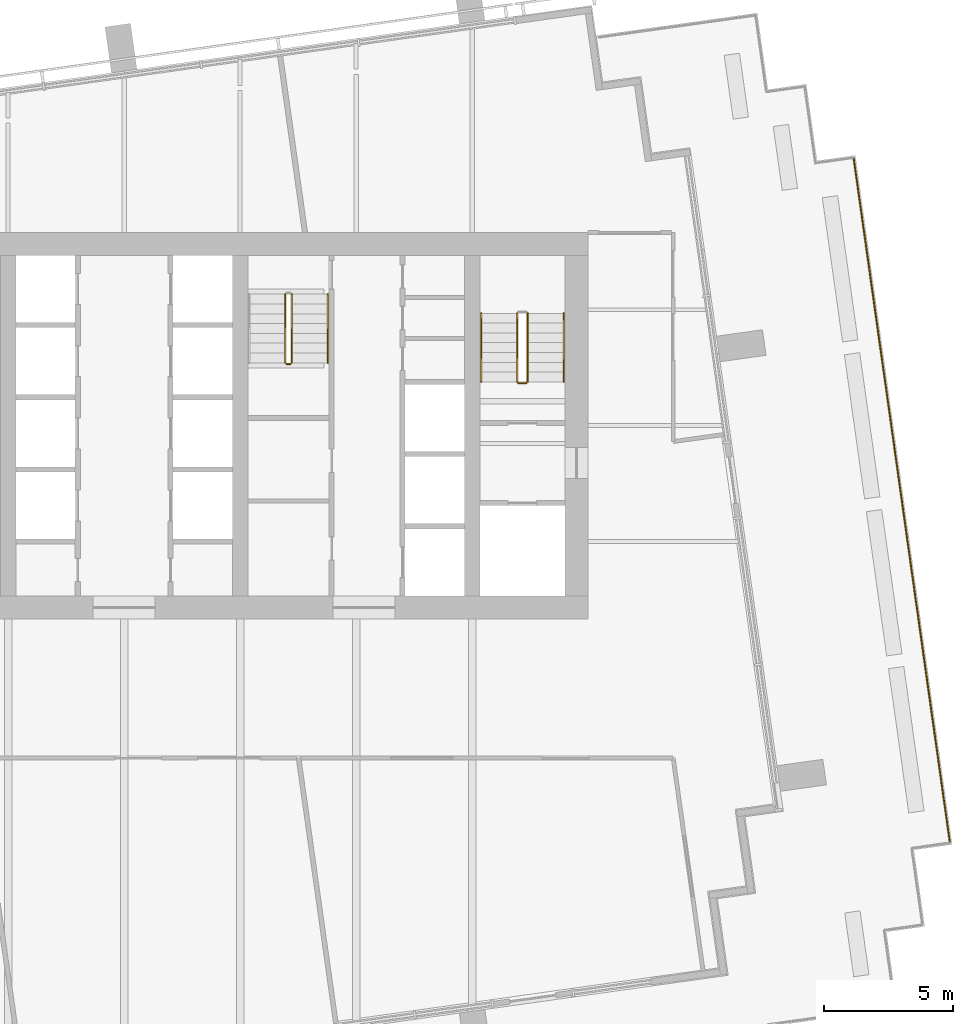
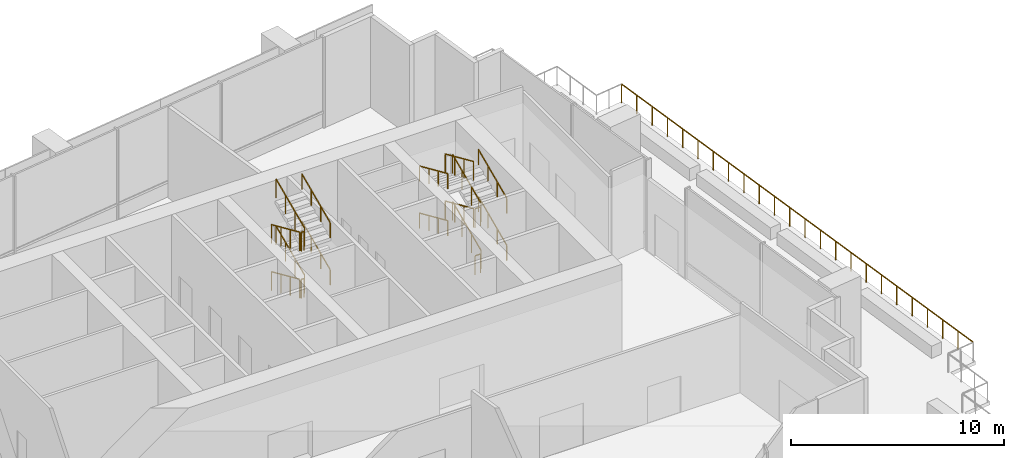
# One storey, part 12 of 14: 19 railings.
"""IFC4 building model written with IfcOpenShell, lengths in metres."""

from ifc_helpers import new_model, si_unit, direction, frame, origin, origin_2d, place, context, subcontext, project, spatial, rectangle, extrude, material, type_object, element, save


model = new_model("IFC4")

# Units and contexts
model_context = context("Model", 3, precision=1e-05, world=origin(), true_north=direction((0.0, 1.0)))
body_context = subcontext(model_context, "Body", "Model", "MODEL_VIEW")
ifc_project = project(units=[si_unit("LENGTHUNIT", "METRE"), si_unit("AREAUNIT", "SQUARE_METRE"), si_unit("VOLUMEUNIT", "CUBIC_METRE"), si_unit("PLANEANGLEUNIT", "RADIAN"), si_unit("MASSUNIT", "GRAM", prefix="KILO")], contexts=[model_context])

# Site, building, storey
site_placement = place(None, origin())
site = spatial("IfcSite", under=ifc_project, at=site_placement, CompositionType="ELEMENT")
building_placement = place(site_placement, origin())
building = spatial("IfcBuilding", under=site, at=building_placement, Name="Rattan Terrace Tower", CompositionType="ELEMENT")
storey_placement = place(building_placement, frame((0.0, 0.0, 249.699951171875)))
storey = spatial("IfcBuildingStorey", under=building, at=storey_placement, Name="L57", CompositionType="ELEMENT", Elevation=249.699951171875)

# Railings
ifc_material_1 = material(Name="Powder-coated steel guard", Category="steel")
railing_type_1 = type_object("IfcRailingType", Name="Core stair guard", PredefinedType="GUARDRAIL", material=ifc_material_1)
railing_1_placement = place(storey_placement, frame((15.64990234375, 1.699951171875, 0.168701171875)))
element("IfcRailing", 1, at=railing_1_placement, inside=storey, type_object=railing_type_1, Name="L57 S2 stair guard 1", PredefinedType="GUARDRAIL", context=body_context, shape_type="SweptSolid", body=[
    extrude(rectangle(XDim=0.048095703125, YDim=0.048095703125, at=origin_2d()), frame((0.0, 0.0, 1.076171875), z_axis=(0.0, 0.913925654661, 0.405881630223), x_axis=(-1.0, 0.0, 0.0)), (0.0, 0.0, 1.0), 2.91064453125),
    extrude(rectangle(XDim=0.0419921875, YDim=0.0419921875, at=origin_2d()), origin(), (0.0, 0.0, 1.0), 1.052001953125),
    extrude(rectangle(XDim=0.0419921875, YDim=0.0419921875, at=origin_2d()), frame((0.0, 0.88671875, 0.393798828125)), (0.0, 0.0, 1.0), 1.052001953125),
    extrude(rectangle(XDim=0.0419921875, YDim=0.0419921875, at=origin_2d()), frame((0.0, 1.7734375, 0.78759765625)), (0.0, 0.0, 1.0), 1.052001953125),
    extrude(rectangle(XDim=0.0419921875, YDim=0.0419921875, at=origin_2d()), frame((0.0, 2.66015625, 1.181396484375)), (0.0, 0.0, 1.0), 1.052001953125),
])
railing_2_placement = place(storey_placement, frame((15.25, 4.360107421875, 1.518798828125)))
element("IfcRailing", 2, at=railing_2_placement, inside=storey, type_object=railing_type_1, Name="L57 S2 stair guard 3", PredefinedType="GUARDRAIL", context=body_context, shape_type="SweptSolid", body=[
    extrude(rectangle(XDim=0.048095703125, YDim=0.048095703125, at=origin_2d()), frame((0.0, 0.0, 1.076171875), z_axis=(0.0, -0.913956766905, 0.405811567391), x_axis=(1.0, 0.0, 0.0)), (0.0, 0.0, 1.0), 2.91064453125),
    extrude(rectangle(XDim=0.0419921875, YDim=0.0419921875, at=origin_2d()), origin(), (0.0, 0.0, 1.0), 1.052001953125),
    extrude(rectangle(XDim=0.0419921875, YDim=0.0419921875, at=origin_2d()), frame((0.0, -0.88671875, 0.393798828125)), (0.0, 0.0, 1.0), 1.052001953125),
    extrude(rectangle(XDim=0.0419921875, YDim=0.0419921875, at=origin_2d()), frame((0.0, -1.7734375, 0.787353515625)), (0.0, 0.0, 1.0), 1.052001953125),
    extrude(rectangle(XDim=0.0419921875, YDim=0.0419921875, at=origin_2d()), frame((0.0, -2.66015625, 1.18115234375)), (0.0, 0.0, 1.0), 1.052001953125),
])
railing_3_placement = place(storey_placement, frame((15.60009765625, 1.64990234375, 2.699951171875)))
element("IfcRailing", 3, at=railing_3_placement, inside=storey, type_object=railing_type_1, Name="L57 S2 stair guard 4", PredefinedType="GUARDRAIL", context=body_context, shape_type="SweptSolid", body=[
    extrude(rectangle(XDim=0.048095703125, YDim=0.048095703125, at=origin_2d()), frame((0.0, 0.0, 1.076171875), z_axis=(-1.0, 0.0, 0.0), x_axis=(0.0, -1.0, 0.0)), (0.0, 0.0, 1.0), 0.300048828125),
    extrude(rectangle(XDim=0.0419921875, YDim=0.0419921875, at=origin_2d()), origin(), (0.0, 0.0, 1.0), 1.052001953125),
    extrude(rectangle(XDim=0.0419921875, YDim=0.0419921875, at=origin_2d()), frame((-0.300048828125, 0.0, 0.0)), (0.0, 0.0, 1.0), 1.052001953125),
])
railing_4_placement = place(storey_placement, frame((15.64990234375, 1.699951171875, 2.868896484375)))
element("IfcRailing", 4, at=railing_4_placement, inside=storey, type_object=railing_type_1, Name="L57 S2 stair guard 5", PredefinedType="GUARDRAIL", context=body_context, shape_type="SweptSolid", body=[
    extrude(rectangle(XDim=0.048095703125, YDim=0.048095703125, at=origin_2d()), frame((0.0, 0.0, 1.076171875), z_axis=(0.0, 0.913956766905, 0.405811567391), x_axis=(-1.0, 0.0, 0.0)), (0.0, 0.0, 1.0), 2.91064453125),
    extrude(rectangle(XDim=0.0419921875, YDim=0.0419921875, at=origin_2d()), origin(), (0.0, 0.0, 1.0), 1.052001953125),
    extrude(rectangle(XDim=0.0419921875, YDim=0.0419921875, at=origin_2d()), frame((0.0, 0.88671875, 0.393798828125)), (0.0, 0.0, 1.0), 1.052001953125),
    extrude(rectangle(XDim=0.0419921875, YDim=0.0419921875, at=origin_2d()), frame((0.0, 1.7734375, 0.787353515625)), (0.0, 0.0, 1.0), 1.052001953125),
    extrude(rectangle(XDim=0.0419921875, YDim=0.0419921875, at=origin_2d()), frame((0.0, 2.66015625, 1.18115234375)), (0.0, 0.0, 1.0), 1.052001953125),
])
railing_5_placement = place(storey_placement, frame((15.25, 4.360107421875, 4.21875)))
element("IfcRailing", 5, at=railing_5_placement, inside=storey, type_object=railing_type_1, Name="L57 S2 stair guard 7", PredefinedType="GUARDRAIL", context=body_context, shape_type="SweptSolid", body=[
    extrude(rectangle(XDim=0.048095703125, YDim=0.048095703125, at=origin_2d()), frame((0.0, 0.0, 1.076171875), z_axis=(0.0, -0.913925654661, 0.405881630223), x_axis=(1.0, 0.0, 0.0)), (0.0, 0.0, 1.0), 2.91064453125),
    extrude(rectangle(XDim=0.0419921875, YDim=0.0419921875, at=origin_2d()), origin(), (0.0, 0.0, 1.0), 1.052001953125),
    extrude(rectangle(XDim=0.0419921875, YDim=0.0419921875, at=origin_2d()), frame((0.0, -0.88671875, 0.393798828125)), (0.0, 0.0, 1.0), 1.052001953125),
    extrude(rectangle(XDim=0.0419921875, YDim=0.0419921875, at=origin_2d()), frame((0.0, -1.7734375, 0.78759765625)), (0.0, 0.0, 1.0), 1.052001953125),
    extrude(rectangle(XDim=0.0419921875, YDim=0.0419921875, at=origin_2d()), frame((0.0, -2.66015625, 1.181396484375)), (0.0, 0.0, 1.0), 1.052001953125),
])
railing_6_placement = place(storey_placement, frame((15.60009765625, 1.64990234375, 0.0)))
element("IfcRailing", 6, at=railing_6_placement, inside=storey, type_object=railing_type_1, Name="L57 S2 stair guard 8", PredefinedType="GUARDRAIL", context=body_context, shape_type="SweptSolid", body=[
    extrude(rectangle(XDim=0.048095703125, YDim=0.048095703125, at=origin_2d()), frame((0.0, 0.0, 1.076171875), z_axis=(-1.0, 0.0, 0.0), x_axis=(0.0, -1.0, 0.0)), (0.0, 0.0, 1.0), 0.300048828125),
    extrude(rectangle(XDim=0.0419921875, YDim=0.0419921875, at=origin_2d()), origin(), (0.0, 0.0, 1.0), 1.052001953125),
    extrude(rectangle(XDim=0.0419921875, YDim=0.0419921875, at=origin_2d()), frame((-0.300048828125, 0.0, 0.0)), (0.0, 0.0, 1.0), 1.052001953125),
])
railing_7_placement = place(storey_placement, frame((6.25, 5.10009765625, 0.168701171875)))
element("IfcRailing", 7, at=railing_7_placement, inside=storey, type_object=railing_type_1, Name="L57 S3 stair guard 1", PredefinedType="GUARDRAIL", context=body_context, shape_type="SweptSolid", body=[
    extrude(rectangle(XDim=0.048095703125, YDim=0.048095703125, at=origin_2d()), frame((0.0, 0.0, 1.076171875), z_axis=(0.0, -0.913925654661, 0.405881630223), x_axis=(1.0, 0.0, 0.0)), (0.0, 0.0, 1.0), 2.91064453125),
    extrude(rectangle(XDim=0.0419921875, YDim=0.0419921875, at=origin_2d()), origin(), (0.0, 0.0, 1.0), 1.052001953125),
    extrude(rectangle(XDim=0.0419921875, YDim=0.0419921875, at=origin_2d()), frame((0.0, -0.88671875, 0.393798828125)), (0.0, 0.0, 1.0), 1.052001953125),
    extrude(rectangle(XDim=0.0419921875, YDim=0.0419921875, at=origin_2d()), frame((0.0, -1.7734375, 0.78759765625)), (0.0, 0.0, 1.0), 1.052001953125),
    extrude(rectangle(XDim=0.0419921875, YDim=0.0419921875, at=origin_2d()), frame((0.0, -2.66015625, 1.181396484375)), (0.0, 0.0, 1.0), 1.052001953125),
])
railing_8_placement = place(storey_placement, frame((6.300048828125, 2.389892578125, 1.35009765625)))
element("IfcRailing", 8, at=railing_8_placement, inside=storey, type_object=railing_type_1, Name="L57 S3 stair guard 2", PredefinedType="GUARDRAIL", context=body_context, shape_type="SweptSolid", body=[
    extrude(rectangle(XDim=0.048095703125, YDim=0.048095703125, at=origin_2d()), frame((0.0, 0.0, 1.076171875), z_axis=(1.0, 0.0, 0.0), x_axis=(0.0, 1.0, 0.0)), (0.0, 0.0, 1.0), 0.14990234375),
    extrude(rectangle(XDim=0.0419921875, YDim=0.0419921875, at=origin_2d()), origin(), (0.0, 0.0, 1.0), 1.052001953125),
    extrude(rectangle(XDim=0.0419921875, YDim=0.0419921875, at=origin_2d()), frame((0.14990234375, 0.0, 0.0)), (0.0, 0.0, 1.0), 1.052001953125),
])
railing_9_placement = place(storey_placement, frame((6.5, 2.43994140625, 1.518798828125)))
element("IfcRailing", 9, at=railing_9_placement, inside=storey, type_object=railing_type_1, Name="L57 S3 stair guard 3", PredefinedType="GUARDRAIL", context=body_context, shape_type="SweptSolid", body=[
    extrude(rectangle(XDim=0.048095703125, YDim=0.048095703125, at=origin_2d()), frame((0.0, 0.0, 1.076171875), z_axis=(0.0, 0.913956766905, 0.405811567391), x_axis=(-1.0, 0.0, 0.0)), (0.0, 0.0, 1.0), 2.91064453125),
    extrude(rectangle(XDim=0.0419921875, YDim=0.0419921875, at=origin_2d()), origin(), (0.0, 0.0, 1.0), 1.052001953125),
    extrude(rectangle(XDim=0.0419921875, YDim=0.0419921875, at=origin_2d()), frame((0.0, 0.88671875, 0.393798828125)), (0.0, 0.0, 1.0), 1.052001953125),
    extrude(rectangle(XDim=0.0419921875, YDim=0.0419921875, at=origin_2d()), frame((0.0, 1.7734375, 0.787353515625)), (0.0, 0.0, 1.0), 1.052001953125),
    extrude(rectangle(XDim=0.0419921875, YDim=0.0419921875, at=origin_2d()), frame((0.0, 2.66015625, 1.18115234375)), (0.0, 0.0, 1.0), 1.052001953125),
])
railing_10_placement = place(storey_placement, frame((6.25, 5.10009765625, 2.868896484375)))
element("IfcRailing", 10, at=railing_10_placement, inside=storey, type_object=railing_type_1, Name="L57 S3 stair guard 5", PredefinedType="GUARDRAIL", context=body_context, shape_type="SweptSolid", body=[
    extrude(rectangle(XDim=0.048095703125, YDim=0.048095703125, at=origin_2d()), frame((0.0, 0.0, 1.076171875), z_axis=(0.0, -0.913956766905, 0.405811567391), x_axis=(1.0, 0.0, 0.0)), (0.0, 0.0, 1.0), 2.91064453125),
    extrude(rectangle(XDim=0.0419921875, YDim=0.0419921875, at=origin_2d()), origin(), (0.0, 0.0, 1.0), 1.052001953125),
    extrude(rectangle(XDim=0.0419921875, YDim=0.0419921875, at=origin_2d()), frame((0.0, -0.88671875, 0.393798828125)), (0.0, 0.0, 1.0), 1.052001953125),
    extrude(rectangle(XDim=0.0419921875, YDim=0.0419921875, at=origin_2d()), frame((0.0, -1.7734375, 0.787353515625)), (0.0, 0.0, 1.0), 1.052001953125),
    extrude(rectangle(XDim=0.0419921875, YDim=0.0419921875, at=origin_2d()), frame((0.0, -2.66015625, 1.18115234375)), (0.0, 0.0, 1.0), 1.052001953125),
])
railing_11_placement = place(storey_placement, frame((6.300048828125, 2.389892578125, 4.050048828125)))
element("IfcRailing", 11, at=railing_11_placement, inside=storey, type_object=railing_type_1, Name="L57 S3 stair guard 6", PredefinedType="GUARDRAIL", context=body_context, shape_type="SweptSolid", body=[
    extrude(rectangle(XDim=0.048095703125, YDim=0.048095703125, at=origin_2d()), frame((0.0, 0.0, 1.076171875), z_axis=(1.0, 0.0, 0.0), x_axis=(0.0, 1.0, 0.0)), (0.0, 0.0, 1.0), 0.14990234375),
    extrude(rectangle(XDim=0.0419921875, YDim=0.0419921875, at=origin_2d()), origin(), (0.0, 0.0, 1.0), 1.052001953125),
    extrude(rectangle(XDim=0.0419921875, YDim=0.0419921875, at=origin_2d()), frame((0.14990234375, 0.0, 0.0)), (0.0, 0.0, 1.0), 1.052001953125),
])
railing_12_placement = place(storey_placement, frame((6.5, 2.43994140625, 4.21875)))
element("IfcRailing", 12, at=railing_12_placement, inside=storey, type_object=railing_type_1, Name="L57 S3 stair guard 7", PredefinedType="GUARDRAIL", context=body_context, shape_type="SweptSolid", body=[
    extrude(rectangle(XDim=0.048095703125, YDim=0.048095703125, at=origin_2d()), frame((0.0, 0.0, 1.076171875), z_axis=(0.0, 0.913925654661, 0.405881630223), x_axis=(-1.0, 0.0, 0.0)), (0.0, 0.0, 1.0), 2.91064453125),
    extrude(rectangle(XDim=0.0419921875, YDim=0.0419921875, at=origin_2d()), origin(), (0.0, 0.0, 1.0), 1.052001953125),
    extrude(rectangle(XDim=0.0419921875, YDim=0.0419921875, at=origin_2d()), frame((0.0, 0.88671875, 0.393798828125)), (0.0, 0.0, 1.0), 1.052001953125),
    extrude(rectangle(XDim=0.0419921875, YDim=0.0419921875, at=origin_2d()), frame((0.0, 1.7734375, 0.78759765625)), (0.0, 0.0, 1.0), 1.052001953125),
    extrude(rectangle(XDim=0.0419921875, YDim=0.0419921875, at=origin_2d()), frame((0.0, 2.66015625, 1.181396484375)), (0.0, 0.0, 1.0), 1.052001953125),
])
ifc_material_2 = material(Name="Powder-coated steel handrail", Category="steel")
railing_type_2 = type_object("IfcRailingType", Name="Core stair handrail", PredefinedType="HANDRAIL", material=ifc_material_2)
railing_13_placement = place(storey_placement, frame((17.050048828125, 1.699951171875, 0.168701171875)))
element("IfcRailing", 13, at=railing_13_placement, inside=storey, type_object=railing_type_2, Name="L57 S2 stair handrail 1", PredefinedType="HANDRAIL", context=body_context, shape_type="SweptSolid", body=[
    extrude(rectangle(XDim=0.048095703125, YDim=0.048095703125, at=origin_2d()), frame((0.0, 0.0, 0.8759765625), z_axis=(0.0, 0.913925654661, 0.405881630223), x_axis=(-1.0, 0.0, 0.0)), (0.0, 0.0, 1.0), 2.91064453125),
    extrude(rectangle(XDim=0.0419921875, YDim=0.0419921875, at=origin_2d()), origin(), (0.0, 0.0, 1.0), 0.851806640625),
    extrude(rectangle(XDim=0.0419921875, YDim=0.0419921875, at=origin_2d()), frame((0.0, 0.88671875, 0.393798828125)), (0.0, 0.0, 1.0), 0.851806640625),
    extrude(rectangle(XDim=0.0419921875, YDim=0.0419921875, at=origin_2d()), frame((0.0, 1.7734375, 0.78759765625)), (0.0, 0.0, 1.0), 0.851806640625),
    extrude(rectangle(XDim=0.0419921875, YDim=0.0419921875, at=origin_2d()), frame((0.0, 2.66015625, 1.181396484375)), (0.0, 0.0, 1.0), 0.851806640625),
])
railing_14_placement = place(storey_placement, frame((13.85009765625, 4.360107421875, 1.518798828125)))
element("IfcRailing", 14, at=railing_14_placement, inside=storey, type_object=railing_type_2, Name="L57 S2 stair handrail 2", PredefinedType="HANDRAIL", context=body_context, shape_type="SweptSolid", body=[
    extrude(rectangle(XDim=0.048095703125, YDim=0.048095703125, at=origin_2d()), frame((0.0, 0.0, 0.8759765625), z_axis=(0.0, -0.913956766905, 0.405811567391), x_axis=(1.0, 0.0, 0.0)), (0.0, 0.0, 1.0), 2.91064453125),
    extrude(rectangle(XDim=0.0419921875, YDim=0.0419921875, at=origin_2d()), origin(), (0.0, 0.0, 1.0), 0.851806640625),
    extrude(rectangle(XDim=0.0419921875, YDim=0.0419921875, at=origin_2d()), frame((0.0, -0.88671875, 0.393798828125)), (0.0, 0.0, 1.0), 0.851806640625),
    extrude(rectangle(XDim=0.0419921875, YDim=0.0419921875, at=origin_2d()), frame((0.0, -1.7734375, 0.787353515625)), (0.0, 0.0, 1.0), 0.851806640625),
    extrude(rectangle(XDim=0.0419921875, YDim=0.0419921875, at=origin_2d()), frame((0.0, -2.66015625, 1.18115234375)), (0.0, 0.0, 1.0), 0.851806640625),
])
railing_15_placement = place(storey_placement, frame((17.050048828125, 1.699951171875, 2.868896484375)))
element("IfcRailing", 15, at=railing_15_placement, inside=storey, type_object=railing_type_2, Name="L57 S2 stair handrail 3", PredefinedType="HANDRAIL", context=body_context, shape_type="SweptSolid", body=[
    extrude(rectangle(XDim=0.048095703125, YDim=0.048095703125, at=origin_2d()), frame((0.0, 0.0, 0.8759765625), z_axis=(0.0, 0.913956766905, 0.405811567391), x_axis=(-1.0, 0.0, 0.0)), (0.0, 0.0, 1.0), 2.91064453125),
    extrude(rectangle(XDim=0.0419921875, YDim=0.0419921875, at=origin_2d()), origin(), (0.0, 0.0, 1.0), 0.851806640625),
    extrude(rectangle(XDim=0.0419921875, YDim=0.0419921875, at=origin_2d()), frame((0.0, 0.88671875, 0.393798828125)), (0.0, 0.0, 1.0), 0.851806640625),
    extrude(rectangle(XDim=0.0419921875, YDim=0.0419921875, at=origin_2d()), frame((0.0, 1.7734375, 0.787353515625)), (0.0, 0.0, 1.0), 0.851806640625),
    extrude(rectangle(XDim=0.0419921875, YDim=0.0419921875, at=origin_2d()), frame((0.0, 2.66015625, 1.18115234375)), (0.0, 0.0, 1.0), 0.851806640625),
])
railing_16_placement = place(storey_placement, frame((13.85009765625, 4.360107421875, 4.21875)))
element("IfcRailing", 16, at=railing_16_placement, inside=storey, type_object=railing_type_2, Name="L57 S2 stair handrail 4", PredefinedType="HANDRAIL", context=body_context, shape_type="SweptSolid", body=[
    extrude(rectangle(XDim=0.048095703125, YDim=0.048095703125, at=origin_2d()), frame((0.0, 0.0, 0.8759765625), z_axis=(0.0, -0.913925654661, 0.405881630223), x_axis=(1.0, 0.0, 0.0)), (0.0, 0.0, 1.0), 2.91064453125),
    extrude(rectangle(XDim=0.0419921875, YDim=0.0419921875, at=origin_2d()), origin(), (0.0, 0.0, 1.0), 0.851806640625),
    extrude(rectangle(XDim=0.0419921875, YDim=0.0419921875, at=origin_2d()), frame((0.0, -0.88671875, 0.393798828125)), (0.0, 0.0, 1.0), 0.851806640625),
    extrude(rectangle(XDim=0.0419921875, YDim=0.0419921875, at=origin_2d()), frame((0.0, -1.7734375, 0.78759765625)), (0.0, 0.0, 1.0), 0.851806640625),
    extrude(rectangle(XDim=0.0419921875, YDim=0.0419921875, at=origin_2d()), frame((0.0, -2.66015625, 1.181396484375)), (0.0, 0.0, 1.0), 0.851806640625),
])
railing_17_placement = place(storey_placement, frame((7.89990234375, 2.43994140625, 1.518798828125)))
element("IfcRailing", 17, at=railing_17_placement, inside=storey, type_object=railing_type_2, Name="L57 S3 stair handrail 2", PredefinedType="HANDRAIL", context=body_context, shape_type="SweptSolid", body=[
    extrude(rectangle(XDim=0.048095703125, YDim=0.048095703125, at=origin_2d()), frame((0.0, 0.0, 0.8759765625), z_axis=(0.0, 0.913956766905, 0.405811567391), x_axis=(-1.0, 0.0, 0.0)), (0.0, 0.0, 1.0), 2.91064453125),
    extrude(rectangle(XDim=0.0419921875, YDim=0.0419921875, at=origin_2d()), origin(), (0.0, 0.0, 1.0), 0.851806640625),
    extrude(rectangle(XDim=0.0419921875, YDim=0.0419921875, at=origin_2d()), frame((0.0, 0.88671875, 0.393798828125)), (0.0, 0.0, 1.0), 0.851806640625),
    extrude(rectangle(XDim=0.0419921875, YDim=0.0419921875, at=origin_2d()), frame((0.0, 1.7734375, 0.787353515625)), (0.0, 0.0, 1.0), 0.851806640625),
    extrude(rectangle(XDim=0.0419921875, YDim=0.0419921875, at=origin_2d()), frame((0.0, 2.66015625, 1.18115234375)), (0.0, 0.0, 1.0), 0.851806640625),
])
railing_18_placement = place(storey_placement, frame((7.89990234375, 2.43994140625, 4.21875)))
element("IfcRailing", 18, at=railing_18_placement, inside=storey, type_object=railing_type_2, Name="L57 S3 stair handrail 4", PredefinedType="HANDRAIL", context=body_context, shape_type="SweptSolid", body=[
    extrude(rectangle(XDim=0.048095703125, YDim=0.048095703125, at=origin_2d()), frame((0.0, 0.0, 0.8759765625), z_axis=(0.0, 0.913925654661, 0.405881630223), x_axis=(-1.0, 0.0, 0.0)), (0.0, 0.0, 1.0), 2.91064453125),
    extrude(rectangle(XDim=0.0419921875, YDim=0.0419921875, at=origin_2d()), origin(), (0.0, 0.0, 1.0), 0.851806640625),
    extrude(rectangle(XDim=0.0419921875, YDim=0.0419921875, at=origin_2d()), frame((0.0, 0.88671875, 0.393798828125)), (0.0, 0.0, 1.0), 0.851806640625),
    extrude(rectangle(XDim=0.0419921875, YDim=0.0419921875, at=origin_2d()), frame((0.0, 1.7734375, 0.78759765625)), (0.0, 0.0, 1.0), 0.851806640625),
    extrude(rectangle(XDim=0.0419921875, YDim=0.0419921875, at=origin_2d()), frame((0.0, 2.66015625, 1.181396484375)), (0.0, 0.0, 1.0), 0.851806640625),
])
ifc_material_3 = material(Name="Stainless steel 316", Category="steel")
railing_type_3 = type_object("IfcRailingType", Name="Facade Guard 1100", PredefinedType="GUARDRAIL", material=ifc_material_3)
railing_19_placement = place(storey_placement, frame((28.300048828125, 10.39697265625, 0.0)))
element("IfcRailing", 19, at=railing_19_placement, inside=storey, type_object=railing_type_3, Name="Terrace guard L57-1-6", PredefinedType="GUARDRAIL", context=body_context, shape_type="SweptSolid", body=[
    extrude(rectangle(XDim=0.048095703125, YDim=0.048095703125, at=origin_2d()), frame((0.0, 0.0, 1.076171875), z_axis=(0.139188630069, -0.990265886143, 0.0), x_axis=(0.990265886143, 0.139188630069, 0.0)), (0.0, 0.0, 1.0), 26.840087890625),
    extrude(rectangle(XDim=0.0419921875, YDim=0.0419921875, at=origin_2d()), origin(), (0.0, 0.0, 1.0), 1.052001953125),
    extrude(rectangle(XDim=0.0419921875, YDim=0.0419921875, at=origin_2d()), frame((0.162353515625, -1.155517578125, 0.0)), (0.0, 0.0, 1.0), 1.052001953125),
    extrude(rectangle(XDim=0.0419921875, YDim=0.0419921875, at=origin_2d()), frame((0.324951171875, -2.311279296875, 0.0)), (0.0, 0.0, 1.0), 1.052001953125),
    extrude(rectangle(XDim=0.0419921875, YDim=0.0419921875, at=origin_2d()), frame((0.4873046875, -3.466796875, 0.0)), (0.0, 0.0, 1.0), 1.052001953125),
    extrude(rectangle(XDim=0.0419921875, YDim=0.0419921875, at=origin_2d()), frame((0.649658203125, -4.622314453125, 0.0)), (0.0, 0.0, 1.0), 1.052001953125),
    extrude(rectangle(XDim=0.0419921875, YDim=0.0419921875, at=origin_2d()), frame((0.812255859375, -5.778076171875, 0.0)), (0.0, 0.0, 1.0), 1.052001953125),
    extrude(rectangle(XDim=0.0419921875, YDim=0.0419921875, at=origin_2d()), frame((0.974609375, -6.93359375, 0.0)), (0.0, 0.0, 1.0), 1.052001953125),
    extrude(rectangle(XDim=0.0419921875, YDim=0.0419921875, at=origin_2d()), frame((1.136962890625, -8.089111328125, 0.0)), (0.0, 0.0, 1.0), 1.052001953125),
    extrude(rectangle(XDim=0.0419921875, YDim=0.0419921875, at=origin_2d()), frame((1.29931640625, -9.244873046875, 0.0)), (0.0, 0.0, 1.0), 1.052001953125),
    extrude(rectangle(XDim=0.0419921875, YDim=0.0419921875, at=origin_2d()), frame((1.4619140625, -10.400390625, 0.0)), (0.0, 0.0, 1.0), 1.052001953125),
    extrude(rectangle(XDim=0.0419921875, YDim=0.0419921875, at=origin_2d()), frame((1.624267578125, -11.555908203125, 0.0)), (0.0, 0.0, 1.0), 1.052001953125),
    extrude(rectangle(XDim=0.0419921875, YDim=0.0419921875, at=origin_2d()), frame((1.78662109375, -12.711669921875, 0.0)), (0.0, 0.0, 1.0), 1.052001953125),
    extrude(rectangle(XDim=0.0419921875, YDim=0.0419921875, at=origin_2d()), frame((1.94921875, -13.8671875, 0.0)), (0.0, 0.0, 1.0), 1.052001953125),
    extrude(rectangle(XDim=0.0419921875, YDim=0.0419921875, at=origin_2d()), frame((2.111572265625, -15.02294921875, 0.0)), (0.0, 0.0, 1.0), 1.052001953125),
    extrude(rectangle(XDim=0.0419921875, YDim=0.0419921875, at=origin_2d()), frame((2.27392578125, -16.178466796875, 0.0)), (0.0, 0.0, 1.0), 1.052001953125),
    extrude(rectangle(XDim=0.0419921875, YDim=0.0419921875, at=origin_2d()), frame((2.4365234375, -17.333984375, 0.0)), (0.0, 0.0, 1.0), 1.052001953125),
    extrude(rectangle(XDim=0.0419921875, YDim=0.0419921875, at=origin_2d()), frame((2.598876953125, -18.48974609375, 0.0)), (0.0, 0.0, 1.0), 1.052001953125),
    extrude(rectangle(XDim=0.0419921875, YDim=0.0419921875, at=origin_2d()), frame((2.76123046875, -19.645263671875, 0.0)), (0.0, 0.0, 1.0), 1.052001953125),
    extrude(rectangle(XDim=0.0419921875, YDim=0.0419921875, at=origin_2d()), frame((2.923583984375, -20.80078125, 0.0)), (0.0, 0.0, 1.0), 1.052001953125),
    extrude(rectangle(XDim=0.0419921875, YDim=0.0419921875, at=origin_2d()), frame((3.086181640625, -21.95654296875, 0.0)), (0.0, 0.0, 1.0), 1.052001953125),
    extrude(rectangle(XDim=0.0419921875, YDim=0.0419921875, at=origin_2d()), frame((3.24853515625, -23.112060546875, 0.0)), (0.0, 0.0, 1.0), 1.052001953125),
    extrude(rectangle(XDim=0.0419921875, YDim=0.0419921875, at=origin_2d()), frame((3.410888671875, -24.267578125, 0.0)), (0.0, 0.0, 1.0), 1.052001953125),
    extrude(rectangle(XDim=0.0419921875, YDim=0.0419921875, at=origin_2d()), frame((3.573486328125, -25.42333984375, 0.0)), (0.0, 0.0, 1.0), 1.052001953125),
])

save(model, "model.ifc")
